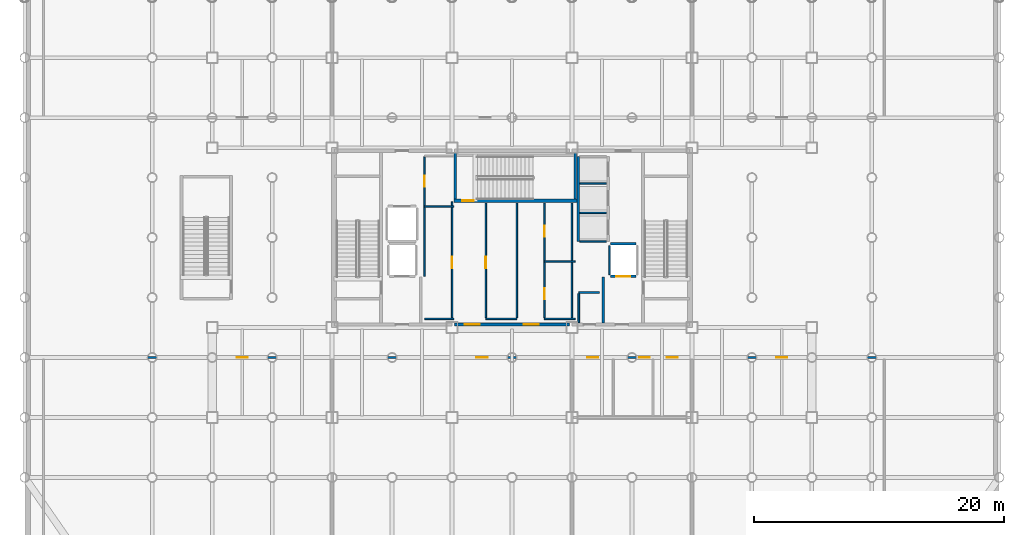
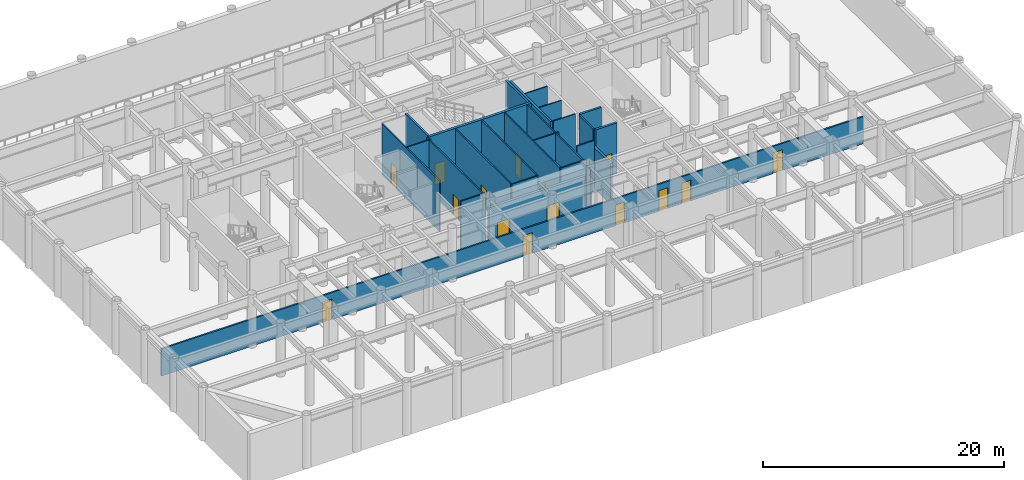
# One storey, part 10 of 16: 26 walls, 15 doors, 15 openings.
"""IFC4 building model written with IfcOpenShell, lengths in metres."""

from ifc_helpers import new_model, si_unit, direction, frame, frame_2d, origin, place, context, subcontext, project, spatial, rectangle, extrude, material, layer, layer_set, type_object, element, fill, save


model = new_model("IFC4")

# Units and contexts
model_context = context("Model", 3, precision=1e-05, world=origin(), true_north=direction((0.0, 1.0)))
body_context = subcontext(model_context, "Body", "Model", "MODEL_VIEW")
ifc_project = project(units=[si_unit("LENGTHUNIT", "METRE"), si_unit("AREAUNIT", "SQUARE_METRE"), si_unit("VOLUMEUNIT", "CUBIC_METRE"), si_unit("PLANEANGLEUNIT", "RADIAN"), si_unit("MASSUNIT", "GRAM", prefix="KILO")], contexts=[model_context])

# Site, building, storey
site_placement = place(None, origin())
site = spatial("IfcSite", under=ifc_project, at=site_placement, CompositionType="ELEMENT")
building_placement = place(site_placement, origin())
building = spatial("IfcBuilding", under=site, at=building_placement, Name="Kallvorn Hotel Tower", CompositionType="ELEMENT")
storey_placement = place(building_placement, frame((0.0, 0.0, -5.39990234375)))
storey = spatial("IfcBuildingStorey", under=building, at=storey_placement, Name="B1", CompositionType="ELEMENT", Elevation=-5.39990234375)

# Walls
ifc_material_1 = material(Name="Concrete C40/50", Category="concrete")
ifc_layer_1 = layer(ifc_material_1, 0.219970703125)
ifc_layer_set_1 = layer_set([ifc_layer_1], Name="WL_FFL_220")
wall_type_1 = type_object("IfcWallType", Name="WL_FFL_220", PredefinedType="SOLIDWALL", material=ifc_layer_set_1)
wall_1_placement = place(storey_placement, frame((7.300048828125, -6.820068359375, 0.0), z_axis=(0.0, 0.0, 1.0), x_axis=(0.0, 1.0, 0.0)))
element("IfcWall", 1, at=wall_1_placement, inside=storey, type_object=wall_type_1, Name="B1 Firefighting Lobby East Divider Wall", PredefinedType="SOLIDWALL", context=body_context, shape_type="SweptSolid", body=[
    extrude(rectangle(XDim=3.670166015625, YDim=0.219970703125, at=frame_2d((1.8349609375, 0.0))), origin(), (0.0, 0.0, 1.0), 4.14990234375),
])
ifc_material_2 = material(Name="Concrete C40/50", Category="concrete")
ifc_layer_2 = layer(ifc_material_2, 0.199951171875)
ifc_layer_set_2 = layer_set([ifc_layer_2], Name="WL_HOIST_200")
wall_type_2 = type_object("IfcWallType", Name="WL_HOIST_200", PredefinedType="SOLIDWALL", material=ifc_layer_set_2)
for number, where, z_axis, x_axis, name in (
    (2, (-4.550048828125, 3.080078125, -0.25), (0.0, 0.0, 1.0), (0.0, 1.0, 0.0), "B1 Stair ST3 West Wall"),
    (3, (5.06005859375, 3.080078125, -0.25), (0.0, 0.0, 1.0), (0.0, 1.0, 0.0), "B1 Stair ST3 East Wall"),
):
    element("IfcWall", number, at=place(storey_placement, frame(where, z_axis=z_axis, x_axis=x_axis)), inside=storey, type_object=wall_type_2, Name=name, PredefinedType="SOLIDWALL", context=body_context, shape_type="SweptSolid", body=[
        extrude(rectangle(XDim=3.739990234375, YDim=0.199951171875, at=frame_2d((1.8701171875, 0.0))), origin(), (0.0, 0.0, 1.0), 5.39990234375),
    ])
wall_2_placement = place(storey_placement, frame((5.300048828125, -0.300048828125, 0.0), z_axis=(0.0, 0.0, 1.0), x_axis=(0.0, 1.0, 0.0)))
element("IfcWall", 4, at=wall_2_placement, inside=storey, type_object=wall_type_2, Name="B1 Lift Bank OBS Rear Shaft Wall", PredefinedType="SOLIDWALL", context=body_context, shape_type="SweptSolid", body=[
    extrude(rectangle(XDim=6.800048828125, YDim=0.199951171875, at=frame_2d((3.39990234375, 0.0))), origin(), (0.0, 0.0, 1.0), 5.14990234375),
])

# Wall, opening, door
wall_3_placement = place(storey_placement, frame((7.8798828125, -3.10009765625, 0.0), z_axis=(0.0, 0.0, 1.0), x_axis=(1.0, 0.0, 0.0)))
wall_3 = element("IfcWall", 5, at=wall_3_placement, inside=storey, type_object=wall_type_2, Name="B1 FL-2 Landing Wall", PredefinedType="SOLIDWALL", context=body_context, shape_type="SweptSolid", body=[
    extrude(rectangle(XDim=2.0400390625, YDim=0.199951171875, at=frame_2d((1.02001953125, 0.0))), origin(), (0.0, 0.0, 1.0), 5.14990234375),
])
opening_1_placement = place(wall_3_placement, frame((0.469970703125, 0.0, 0.0)))
opening_1 = element("IfcOpeningElement", 6, at=opening_1_placement, cuts=wall_3, Name="Opening LD-FL-2", PredefinedType="OPENING", context=body_context, shape_type="SweptSolid", body=[
    extrude(rectangle(XDim=1.10009765625, YDim=2.199951171875, at=frame_2d((0.550048828125, 1.10009765625))), frame((0.0, 0.114990234375, 0.0), z_axis=(0.0, -1.0, 0.0), x_axis=(1.0, 0.0, 0.0)), (0.0, 0.0, 1.0), 0.22998046875),
])
ifc_material_3 = material(Name="Brushed stainless-steel automatic sliding lift landing door", Category="steel")
door_type_1 = type_object("IfcDoorType", Name="LD_PASS_1100x2200", OperationType="SLIDING_TO_LEFT", PredefinedType="DOOR", material=ifc_material_3)
door_1_placement = place(opening_1_placement, origin())
door_1 = element("IfcDoor", 7, at=door_1_placement, inside=storey, type_object=door_type_1, Name="B1 Lift Landing Sliding Door LD-FL-2", OperationType="SLIDING_TO_LEFT", OverallHeight=2.199951171875, OverallWidth=1.10009765625, PredefinedType="DOOR", context=body_context, shape_type="SweptSolid", body=[
    extrude(rectangle(XDim=1.10009765625, YDim=2.199951171875, at=frame_2d((0.550048828125, 1.10009765625))), frame((0.0, 0.02490234375, 0.0), z_axis=(0.0, -1.0, 0.0), x_axis=(1.0, 0.0, 0.0)), (0.0, 0.0, 1.0), 0.050048828125),
])
fill(opening_1, door_1)

# Walls
wall_4_placement = place(storey_placement, frame((7.8798828125, -0.5, 0.0), z_axis=(0.0, 0.0, 1.0), x_axis=(1.0, 0.0, 0.0)))
element("IfcWall", 8, at=wall_4_placement, inside=storey, type_object=wall_type_2, Name="B1 FL-2 Rear Shaft Wall", PredefinedType="SOLIDWALL", context=body_context, shape_type="SweptSolid", body=[
    extrude(rectangle(XDim=2.0400390625, YDim=0.199951171875, at=frame_2d((1.02001953125, 0.0))), origin(), (0.0, 0.0, 1.0), 5.14990234375),
])
ifc_material_4 = material(Name="Fire-rated double-layer acoustic gypsum drywall EI 60")
ifc_layer_3 = layer(ifc_material_4, 0.1201171875)
ifc_layer_set_3 = layer_set([ifc_layer_3], Name="WL_INT_120")
wall_type_3 = type_object("IfcWallType", Name="WL_INT_120", PredefinedType="PARTITIONING", material=ifc_layer_set_3)
for number, where, z_axis, x_axis, name in (
    (9, (5.43994140625, -0.300048828125, 0.0), (0.0, 0.0, 1.0), (1.0, 0.0, 0.0), "B1 Lift Bank OBS South Closure Wall"),
    (10, (5.43994140625, 1.97509765625, 0.0), (0.0, 0.0, 1.0), (1.0, 0.0, 0.0), "B1 OB-01 Hoistway Divider"),
    (11, (5.43994140625, 4.324951171875, 0.0), (0.0, 0.0, 1.0), (1.0, 0.0, 0.0), "B1 OB-02 Hoistway Divider"),
):
    element("IfcWall", number, at=place(storey_placement, frame(where, z_axis=z_axis, x_axis=x_axis)), inside=storey, type_object=wall_type_3, Name=name, PredefinedType="PARTITIONING", context=body_context, shape_type="SweptSolid", body=[
        extrude(rectangle(XDim=2.1201171875, YDim=0.1201171875, at=frame_2d((1.06005859375, 0.0))), origin(), (0.0, 0.0, 1.0), 5.14990234375),
    ])
wall_5_placement = place(storey_placement, frame((7.800048828125, -2.9599609375, 0.0), z_axis=(0.0, 0.0, 1.0), x_axis=(0.0, 1.0, 0.0)))
element("IfcWall", 12, at=wall_5_placement, inside=storey, type_object=wall_type_3, Name="B1 FL-2 West Shaft Wall", PredefinedType="PARTITIONING", context=body_context, shape_type="SweptSolid", body=[
    extrude(rectangle(XDim=2.320068359375, YDim=0.1201171875, at=frame_2d((1.16015625, 0.0))), origin(), (0.0, 0.0, 1.0), 5.14990234375),
])
wall_6_placement = place(storey_placement, frame((-7.0, -6.5, 0.0), z_axis=(0.0, 0.0, 1.0), x_axis=(1.0, 0.0, 0.0)))
element("IfcWall", 13, at=wall_6_placement, inside=storey, type_object=wall_type_3, Name="B1 Basement Core Linen and Equipment Store Partition", PredefinedType="PARTITIONING", context=body_context, shape_type="SweptSolid", body=[
    extrude(rectangle(XDim=2.35009765625, YDim=0.1201171875, at=frame_2d((1.175048828125, 0.0))), origin(), (0.0, 0.0, 1.0), 5.14990234375),
])
wall_7_placement = place(storey_placement, frame((-2.10009765625, -6.5, 0.0), z_axis=(0.0, 0.0, 1.0), x_axis=(1.0, 0.0, 0.0)))
element("IfcWall", 14, at=wall_7_placement, inside=storey, type_object=wall_type_3, Name="B1 Basement Mechanical Services Room Partition", PredefinedType="PARTITIONING", context=body_context, shape_type="SweptSolid", body=[
    extrude(rectangle(XDim=2.5, YDim=0.1201171875, at=frame_2d((1.25, 0.0))), origin(), (0.0, 0.0, 1.0), 5.14990234375),
])
for number, where, z_axis, x_axis, name in (
    (15, (2.60009765625, -6.5, 0.0), (0.0, 0.0, 1.0), (1.0, 0.0, 0.0), "B1 East Core Amenities and Minibar Store Partition"),
    (16, (2.60009765625, -1.89990234375, 0.0), (0.0, 0.0, 1.0), (1.0, 0.0, 0.0), "B1 East Core Amenities and Minibar Store Partition"),
):
    element("IfcWall", number, at=place(storey_placement, frame(where, z_axis=z_axis, x_axis=x_axis)), inside=storey, type_object=wall_type_3, Name=name, PredefinedType="PARTITIONING", context=body_context, shape_type="SweptSolid", body=[
        extrude(rectangle(XDim=2.449951171875, YDim=0.1201171875, at=frame_2d((1.22509765625, 0.0))), origin(), (0.0, 0.0, 1.0), 5.14990234375),
    ])
wall_8_placement = place(storey_placement, frame((-7.0, 2.5, 0.0), z_axis=(0.0, 0.0, 1.0), x_axis=(1.0, 0.0, 0.0)))
element("IfcWall", 17, at=wall_8_placement, inside=storey, type_object=wall_type_3, Name="B1 Basement Core Cleaners Store Partition", PredefinedType="PARTITIONING", context=body_context, shape_type="SweptSolid", body=[
    extrude(rectangle(XDim=2.35009765625, YDim=0.1201171875, at=frame_2d((1.175048828125, 0.0))), origin(), (0.0, 0.0, 1.0), 5.14990234375),
])

# Wall, opening, door
wall_9_placement = place(storey_placement, frame((-7.0, -3.110107421875, 0.0), z_axis=(0.0, 0.0, 1.0), x_axis=(0.0, 1.0, 0.0)))
wall_9 = element("IfcWall", 18, at=wall_9_placement, inside=storey, type_object=wall_type_3, Name="B1 Basement Core Linen and Equipment Store Partition", PredefinedType="PARTITIONING", context=body_context, shape_type="SweptSolid", body=[
    extrude(rectangle(XDim=9.5751953125, YDim=0.1201171875, at=frame_2d((4.78759765625, 0.0))), origin(), (0.0, 0.0, 1.0), 5.14990234375),
])
opening_2_placement = place(wall_9_placement, frame((7.159912109375, 0.0, 0.0)))
opening_2 = element("IfcOpeningElement", 19, at=opening_2_placement, cuts=wall_9, Name="Opening SVD1", PredefinedType="OPENING", context=body_context, shape_type="SweptSolid", body=[
    extrude(rectangle(XDim=0.89990234375, YDim=2.10009765625, at=frame_2d((0.449951171875, 1.050048828125))), frame((0.0, 0.074951171875, 0.0), z_axis=(0.0, -1.0, 0.0), x_axis=(1.0, 0.0, 0.0)), (0.0, 0.0, 1.0), 0.150146484375),
])
ifc_material_5 = material(Name="Galvanised painted steel fire-rated door assembly", Category="steel")
door_type_2 = type_object("IfcDoorType", Name="DR_SERV_900x2100", OperationType="NOTDEFINED", PredefinedType="DOOR", material=ifc_material_5)
door_2_placement = place(opening_2_placement, origin())
door_2 = element("IfcDoor", 20, at=door_2_placement, inside=storey, type_object=door_type_2, Name="B1 Basement Core Cleaners Store Door", OperationType="SINGLE_SWING_RIGHT", OverallHeight=2.10009765625, OverallWidth=0.89990234375, PredefinedType="DOOR", context=body_context, shape_type="SweptSolid", body=[
    extrude(rectangle(XDim=0.89990234375, YDim=2.10009765625, at=frame_2d((0.449951171875, 1.050048828125))), frame((0.0, 0.02490234375, 0.0), z_axis=(0.0, -1.0, 0.0), x_axis=(1.0, 0.0, 0.0)), (0.0, 0.0, 1.0), 0.050048828125),
])
fill(opening_2, door_2)

wall_10_placement = place(storey_placement, frame((-4.800048828125, -6.4150390625, 0.0), z_axis=(0.0, 0.0, 1.0), x_axis=(0.0, 1.0, 0.0)))
wall_10 = element("IfcWall", 21, at=wall_10_placement, inside=storey, type_object=wall_type_3, Name="B1 Basement Core Linen and Equipment Store Partition", PredefinedType="PARTITIONING", context=body_context, shape_type="SweptSolid", body=[
    extrude(rectangle(XDim=9.280029296875, YDim=0.1201171875, at=frame_2d((4.64013671875, 0.0))), origin(), (0.0, 0.0, 1.0), 5.14990234375),
])
opening_3_placement = place(wall_10_placement, frame((3.965087890625, 0.0, 0.0)))
opening_3 = element("IfcOpeningElement", 22, at=opening_3_placement, cuts=wall_10, Name="Opening SVD1", PredefinedType="OPENING", context=body_context, shape_type="SweptSolid", body=[
    extrude(rectangle(XDim=0.89990234375, YDim=2.10009765625, at=frame_2d((0.449951171875, 1.050048828125))), frame((0.0, 0.074951171875, 0.0), z_axis=(0.0, -1.0, 0.0), x_axis=(1.0, 0.0, 0.0)), (0.0, 0.0, 1.0), 0.150146484375),
])
door_3_placement = place(opening_3_placement, origin())
door_3 = element("IfcDoor", 23, at=door_3_placement, inside=storey, type_object=door_type_2, Name="B1 Basement Core Linen and Equipment Store Door", OperationType="SINGLE_SWING_RIGHT", OverallHeight=2.10009765625, OverallWidth=0.89990234375, PredefinedType="DOOR", context=body_context, shape_type="SweptSolid", body=[
    extrude(rectangle(XDim=0.89990234375, YDim=2.10009765625, at=frame_2d((0.449951171875, 1.050048828125))), frame((0.0, 0.02490234375, 0.0), z_axis=(0.0, -1.0, 0.0), x_axis=(1.0, 0.0, 0.0)), (0.0, 0.0, 1.0), 0.050048828125),
])
fill(opening_3, door_3)

wall_11_placement = place(storey_placement, frame((-2.10009765625, -6.4150390625, 0.0), z_axis=(0.0, 0.0, 1.0), x_axis=(0.0, 1.0, 0.0)))
wall_11 = element("IfcWall", 24, at=wall_11_placement, inside=storey, type_object=wall_type_3, Name="B1 Basement Mechanical Services Room Partition", PredefinedType="PARTITIONING", context=body_context, shape_type="SweptSolid", body=[
    extrude(rectangle(XDim=9.1650390625, YDim=0.1201171875, at=frame_2d((4.58251953125, 0.0))), origin(), (0.0, 0.0, 1.0), 5.14990234375),
])
opening_4_placement = place(wall_11_placement, frame((3.965087890625, 0.0, 0.0)))
opening_4 = element("IfcOpeningElement", 25, at=opening_4_placement, cuts=wall_11, Name="Opening SVD1", PredefinedType="OPENING", context=body_context, shape_type="SweptSolid", body=[
    extrude(rectangle(XDim=0.89990234375, YDim=2.10009765625, at=frame_2d((0.449951171875, 1.050048828125))), frame((0.0, 0.074951171875, 0.0), z_axis=(0.0, -1.0, 0.0), x_axis=(1.0, 0.0, 0.0)), (0.0, 0.0, 1.0), 0.150146484375),
])
door_4_placement = place(opening_4_placement, origin())
door_4 = element("IfcDoor", 26, at=door_4_placement, inside=storey, type_object=door_type_2, Name="B1 Basement Mechanical Services Room Door", OperationType="SINGLE_SWING_RIGHT", OverallHeight=2.10009765625, OverallWidth=0.89990234375, PredefinedType="DOOR", context=body_context, shape_type="SweptSolid", body=[
    extrude(rectangle(XDim=0.89990234375, YDim=2.10009765625, at=frame_2d((0.449951171875, 1.050048828125))), frame((0.0, 0.02490234375, 0.0), z_axis=(0.0, -1.0, 0.0), x_axis=(1.0, 0.0, 0.0)), (0.0, 0.0, 1.0), 0.050048828125),
])
fill(opening_4, door_4)

# Wall
wall_12_placement = place(storey_placement, frame((0.39990234375, -6.4150390625, 0.0), z_axis=(0.0, 0.0, 1.0), x_axis=(0.0, 1.0, 0.0)))
element("IfcWall", 27, at=wall_12_placement, inside=storey, type_object=wall_type_3, Name="B1 Basement Mechanical Services Room Partition", PredefinedType="PARTITIONING", context=body_context, shape_type="SweptSolid", body=[
    extrude(rectangle(XDim=9.1650390625, YDim=0.1201171875, at=frame_2d((4.58251953125, 0.0))), origin(), (0.0, 0.0, 1.0), 5.14990234375),
])

# Wall, openings, doors
wall_13_placement = place(storey_placement, frame((2.60009765625, -6.4150390625, 0.0), z_axis=(0.0, 0.0, 1.0), x_axis=(0.0, 1.0, 0.0)))
wall_13 = element("IfcWall", 28, at=wall_13_placement, inside=storey, type_object=wall_type_3, Name="B1 East Core Amenities and Minibar Store Partition", PredefinedType="PARTITIONING", context=body_context, shape_type="SweptSolid", body=[
    extrude(rectangle(XDim=9.1650390625, YDim=0.1201171875, at=frame_2d((4.58251953125, 0.0))), origin(), (0.0, 0.0, 1.0), 5.14990234375),
])
opening_5_placement = place(wall_13_placement, frame((1.465087890625, 0.0, 0.0)))
opening_5 = element("IfcOpeningElement", 29, at=opening_5_placement, cuts=wall_13, Name="Opening SVD1", PredefinedType="OPENING", context=body_context, shape_type="SweptSolid", body=[
    extrude(rectangle(XDim=0.89990234375, YDim=2.10009765625, at=frame_2d((0.449951171875, 1.050048828125))), frame((0.0, 0.074951171875, 0.0), z_axis=(0.0, -1.0, 0.0), x_axis=(1.0, 0.0, 0.0)), (0.0, 0.0, 1.0), 0.150146484375),
])
opening_6_placement = place(wall_13_placement, frame((6.465087890625, 0.0, 0.0)))
opening_6 = element("IfcOpeningElement", 30, at=opening_6_placement, cuts=wall_13, Name="Opening SVD1", PredefinedType="OPENING", context=body_context, shape_type="SweptSolid", body=[
    extrude(rectangle(XDim=0.89990234375, YDim=2.10009765625, at=frame_2d((0.449951171875, 1.050048828125))), frame((0.0, 0.074951171875, 0.0), z_axis=(0.0, -1.0, 0.0), x_axis=(1.0, 0.0, 0.0)), (0.0, 0.0, 1.0), 0.150146484375),
])
door_5_placement = place(opening_5_placement, origin())
door_5 = element("IfcDoor", 31, at=door_5_placement, inside=storey, type_object=door_type_2, Name="B1 East Core Amenities and Minibar Store Door", OperationType="SINGLE_SWING_RIGHT", OverallHeight=2.10009765625, OverallWidth=0.89990234375, PredefinedType="DOOR", context=body_context, shape_type="SweptSolid", body=[
    extrude(rectangle(XDim=0.89990234375, YDim=2.10009765625, at=frame_2d((0.449951171875, 1.050048828125))), frame((0.0, 0.02490234375, 0.0), z_axis=(0.0, -1.0, 0.0), x_axis=(1.0, 0.0, 0.0)), (0.0, 0.0, 1.0), 0.050048828125),
])
fill(opening_5, door_5)
door_6_placement = place(opening_6_placement, origin())
door_6 = element("IfcDoor", 32, at=door_6_placement, inside=storey, type_object=door_type_2, Name="B1 East Core Cleaners and Janitor Room Door", OperationType="SINGLE_SWING_LEFT", OverallHeight=2.10009765625, OverallWidth=0.89990234375, PredefinedType="DOOR", context=body_context, shape_type="SweptSolid", body=[
    extrude(rectangle(XDim=0.89990234375, YDim=2.10009765625, at=frame_2d((0.449951171875, 1.050048828125))), frame((0.0, 0.02490234375, 0.0), z_axis=(0.0, -1.0, 0.0), x_axis=(1.0, 0.0, 0.0)), (0.0, 0.0, 1.0), 0.050048828125),
])
fill(opening_6, door_6)

# Wall
wall_14_placement = place(storey_placement, frame((4.800048828125, -6.4150390625, 0.0), z_axis=(0.0, 0.0, 1.0), x_axis=(0.0, 1.0, 0.0)))
element("IfcWall", 33, at=wall_14_placement, inside=storey, type_object=wall_type_3, Name="B1 East Core Amenities and Minibar Store Partition", PredefinedType="PARTITIONING", context=body_context, shape_type="SweptSolid", body=[
    extrude(rectangle(XDim=9.1650390625, YDim=0.1201171875, at=frame_2d((4.58251953125, 0.0))), origin(), (0.0, 0.0, 1.0), 5.14990234375),
])

# Wall, openings, doors
ifc_material_6 = material(Name="Fire-rated double-layer acoustic gypsum drywall EI 60")
ifc_layer_4 = layer(ifc_material_6, 0.14990234375)
ifc_layer_set_4 = layer_set([ifc_layer_4], Name="WL_PART_150")
wall_type_4 = type_object("IfcWallType", Name="WL_PART_150", PredefinedType="PARTITIONING", material=ifc_layer_set_4)
wall_15_placement = place(storey_placement, frame((-37.5, -9.60009765625, 0.0), z_axis=(0.0, 0.0, 1.0), x_axis=(1.0, 0.0, 0.0)))
wall_15 = element("IfcWall", 34, at=wall_15_placement, inside=storey, type_object=wall_type_4, Name="B1 Central Hotel Laundry and Valet Plant Partition", PredefinedType="PARTITIONING", context=body_context, shape_type="SweptSolid", body=[
    extrude(rectangle(XDim=67.300048828125, YDim=0.14990234375, at=frame_2d((33.64990234375, 0.0))), origin(), (0.0, 0.0, 1.0), 2.75),
])
opening_7_placement = place(wall_15_placement, frame((15.449951171875, 0.0, 0.0)))
opening_7 = element("IfcOpeningElement", 35, at=opening_7_placement, cuts=wall_15, Name="Opening SVD1", PredefinedType="OPENING", context=body_context, shape_type="SweptSolid", body=[
    extrude(rectangle(XDim=0.89990234375, YDim=2.10009765625, at=frame_2d((0.449951171875, 1.050048828125))), frame((0.0, 0.08984375, 0.0), z_axis=(0.0, -1.0, 0.0), x_axis=(1.0, 0.0, 0.0)), (0.0, 0.0, 1.0), 0.179931640625),
])
opening_8_placement = place(wall_15_placement, frame((34.64990234375, 0.0, 0.0)))
opening_8 = element("IfcOpeningElement", 36, at=opening_8_placement, cuts=wall_15, Name="Opening SVD1", PredefinedType="OPENING", context=body_context, shape_type="SweptSolid", body=[
    extrude(rectangle(XDim=0.89990234375, YDim=2.10009765625, at=frame_2d((0.449951171875, 1.050048828125))), frame((0.0, 0.08984375, 0.0), z_axis=(0.0, -1.0, 0.0), x_axis=(1.0, 0.0, 0.0)), (0.0, 0.0, 1.0), 0.179931640625),
])
opening_9_placement = place(wall_15_placement, frame((43.541015625, 0.0, 0.0)))
opening_9 = element("IfcOpeningElement", 37, at=opening_9_placement, cuts=wall_15, Name="Opening BD-I", PredefinedType="OPENING", context=body_context, shape_type="SweptSolid", body=[
    extrude(rectangle(XDim=0.860107421875, YDim=2.10009765625, at=frame_2d((0.43017578125, 1.050048828125))), frame((0.0, 0.08984375, 0.0), z_axis=(0.0, -1.0, 0.0), x_axis=(1.0, 0.0, 0.0)), (0.0, 0.0, 1.0), 0.179931640625),
])
opening_10_placement = place(wall_15_placement, frame((47.68505859375, 0.0, 0.0)))
opening_10 = element("IfcOpeningElement", 38, at=opening_10_placement, cuts=wall_15, Name="Opening BD-I", PredefinedType="OPENING", context=body_context, shape_type="SweptSolid", body=[
    extrude(rectangle(XDim=0.860107421875, YDim=2.10009765625, at=frame_2d((0.43017578125, 1.050048828125))), frame((0.0, 0.08984375, 0.0), z_axis=(0.0, -1.0, 0.0), x_axis=(1.0, 0.0, 0.0)), (0.0, 0.0, 1.0), 0.179931640625),
])
opening_11_placement = place(wall_15_placement, frame((49.89208984375, 0.0, 0.0)))
opening_11 = element("IfcOpeningElement", 39, at=opening_11_placement, cuts=wall_15, Name="Opening BD-I", PredefinedType="OPENING", context=body_context, shape_type="SweptSolid", body=[
    extrude(rectangle(XDim=0.860107421875, YDim=2.10009765625, at=frame_2d((0.43017578125, 1.050048828125))), frame((0.0, 0.08984375, 0.0), z_axis=(0.0, -1.0, 0.0), x_axis=(1.0, 0.0, 0.0)), (0.0, 0.0, 1.0), 0.179931640625),
])
opening_12_placement = place(wall_15_placement, frame((58.64990234375, 0.0, 0.0)))
opening_12 = element("IfcOpeningElement", 40, at=opening_12_placement, cuts=wall_15, Name="Opening SVD1", PredefinedType="OPENING", context=body_context, shape_type="SweptSolid", body=[
    extrude(rectangle(XDim=0.89990234375, YDim=2.10009765625, at=frame_2d((0.449951171875, 1.050048828125))), frame((0.0, 0.08984375, 0.0), z_axis=(0.0, -1.0, 0.0), x_axis=(1.0, 0.0, 0.0)), (0.0, 0.0, 1.0), 0.179931640625),
])
ifc_material_7 = material(Name="Solid-core walnut veneer fire-rated timber door leaf", Category="wood")
door_type_3 = type_object("IfcDoorType", Name="DR_BATH_860x2100", OperationType="NOTDEFINED", PredefinedType="DOOR", material=ifc_material_7)
door_7_placement = place(opening_9_placement, origin())
door_7 = element("IfcDoor", 41, at=door_7_placement, inside=storey, type_object=door_type_3, Name="B1 Public Male Restroom WC Door", OperationType="SINGLE_SWING_RIGHT", OverallHeight=2.10009765625, OverallWidth=0.860107421875, PredefinedType="DOOR", context=body_context, shape_type="SweptSolid", body=[
    extrude(rectangle(XDim=0.860107421875, YDim=2.10009765625, at=frame_2d((0.43017578125, 1.050048828125))), frame((0.0, 0.02490234375, 0.0), z_axis=(0.0, -1.0, 0.0), x_axis=(1.0, 0.0, 0.0)), (0.0, 0.0, 1.0), 0.050048828125),
])
fill(opening_9, door_7)
door_8_placement = place(opening_10_placement, origin())
door_8 = element("IfcDoor", 42, at=door_8_placement, inside=storey, type_object=door_type_3, Name="B1 Public Female Restroom WC Door", OperationType="SINGLE_SWING_RIGHT", OverallHeight=2.10009765625, OverallWidth=0.860107421875, PredefinedType="DOOR", context=body_context, shape_type="SweptSolid", body=[
    extrude(rectangle(XDim=0.860107421875, YDim=2.10009765625, at=frame_2d((0.43017578125, 1.050048828125))), frame((0.0, 0.02490234375, 0.0), z_axis=(0.0, -1.0, 0.0), x_axis=(1.0, 0.0, 0.0)), (0.0, 0.0, 1.0), 0.050048828125),
])
fill(opening_10, door_8)
door_9_placement = place(opening_11_placement, origin())
door_9 = element("IfcDoor", 43, at=door_9_placement, inside=storey, type_object=door_type_3, Name="B1 Accessible Restroom WC Door", OperationType="SINGLE_SWING_RIGHT", OverallHeight=2.10009765625, OverallWidth=0.860107421875, PredefinedType="DOOR", context=body_context, shape_type="SweptSolid", body=[
    extrude(rectangle(XDim=0.860107421875, YDim=2.10009765625, at=frame_2d((0.43017578125, 1.050048828125))), frame((0.0, 0.02490234375, 0.0), z_axis=(0.0, -1.0, 0.0), x_axis=(1.0, 0.0, 0.0)), (0.0, 0.0, 1.0), 0.050048828125),
])
fill(opening_11, door_9)
door_10_placement = place(opening_7_placement, origin())
door_10 = element("IfcDoor", 44, at=door_10_placement, inside=storey, type_object=door_type_2, Name="B1 Central Hotel Laundry and Valet Plant Door", OperationType="SINGLE_SWING_RIGHT", OverallHeight=2.10009765625, OverallWidth=0.89990234375, PredefinedType="DOOR", context=body_context, shape_type="SweptSolid", body=[
    extrude(rectangle(XDim=0.89990234375, YDim=2.10009765625, at=frame_2d((0.449951171875, 1.050048828125))), frame((0.0, 0.02490234375, 0.0), z_axis=(0.0, -1.0, 0.0), x_axis=(1.0, 0.0, 0.0)), (0.0, 0.0, 1.0), 0.050048828125),
])
fill(opening_7, door_10)
door_11_placement = place(opening_8_placement, origin())
door_11 = element("IfcDoor", 45, at=door_11_placement, inside=storey, type_object=door_type_2, Name="B1 Central Commissary Production Kitchen Door", OperationType="SINGLE_SWING_RIGHT", OverallHeight=2.10009765625, OverallWidth=0.89990234375, PredefinedType="DOOR", context=body_context, shape_type="SweptSolid", body=[
    extrude(rectangle(XDim=0.89990234375, YDim=2.10009765625, at=frame_2d((0.449951171875, 1.050048828125))), frame((0.0, 0.02490234375, 0.0), z_axis=(0.0, -1.0, 0.0), x_axis=(1.0, 0.0, 0.0)), (0.0, 0.0, 1.0), 0.050048828125),
])
fill(opening_8, door_11)
door_12_placement = place(opening_12_placement, origin())
door_12 = element("IfcDoor", 46, at=door_12_placement, inside=storey, type_object=door_type_2, Name="B1 Staff Changing Rooms and Lockers Door", OperationType="SINGLE_SWING_LEFT", OverallHeight=2.10009765625, OverallWidth=0.89990234375, PredefinedType="DOOR", context=body_context, shape_type="SweptSolid", body=[
    extrude(rectangle(XDim=0.89990234375, YDim=2.10009765625, at=frame_2d((0.449951171875, 1.050048828125))), frame((0.0, 0.02490234375, 0.0), z_axis=(0.0, -1.0, 0.0), x_axis=(1.0, 0.0, 0.0)), (0.0, 0.0, 1.0), 0.050048828125),
])
fill(opening_12, door_12)

# Walls
ifc_material_8 = material(Name="Moisture-resistant acoustic plumbing chase wall EI 60")
ifc_layer_5 = layer(ifc_material_8, 0.139892578125)
ifc_layer_set_5 = layer_set([ifc_layer_5], Name="WL_PLUMB_140")
wall_type_5 = type_object("IfcWallType", Name="WL_PLUMB_140", PredefinedType="PLUMBINGWALL", material=ifc_layer_set_5)
wall_16_placement = place(storey_placement, frame((5.35009765625, -4.39990234375, 0.0), z_axis=(0.0, 0.0, 1.0), x_axis=(1.0, 0.0, 0.0)))
element("IfcWall", 47, at=wall_16_placement, inside=storey, type_object=wall_type_5, Name="B1 Core Staff Restroom WC Partition", PredefinedType="PLUMBINGWALL", context=body_context, shape_type="SweptSolid", body=[
    extrude(rectangle(XDim=1.64990234375, YDim=0.139892578125, at=frame_2d((0.824951171875, 0.0))), origin(), (0.0, 0.0, 1.0), 5.14990234375),
])
wall_17_placement = place(storey_placement, frame((5.35009765625, -6.800048828125, 0.0), z_axis=(0.0, 0.0, 1.0), x_axis=(0.0, 1.0, 0.0)))
element("IfcWall", 48, at=wall_17_placement, inside=storey, type_object=wall_type_5, Name="B1 Core Staff Restroom WC Partition", PredefinedType="PLUMBINGWALL", context=body_context, shape_type="SweptSolid", body=[
    extrude(rectangle(XDim=2.31494140625, YDim=0.139892578125, at=frame_2d((1.157470703125, 0.0))), origin(), (0.0, 0.0, 1.0), 4.14990234375),
])

# Wall, openings, doors
ifc_material_9 = material(Name="Concrete C40/50", Category="concrete")
ifc_layer_6 = layer(ifc_material_9, 0.25)
ifc_layer_set_6 = layer_set([ifc_layer_6], Name="WL_SHAFT_250")
wall_type_6 = type_object("IfcWallType", Name="WL_SHAFT_250", PredefinedType="SOLIDWALL", material=ifc_layer_set_6)
wall_18_placement = place(storey_placement, frame((-4.60009765625, -6.949951171875, 0.0), z_axis=(0.0, 0.0, 1.0), x_axis=(1.0, 0.0, 0.0)))
wall_18 = element("IfcWall", 49, at=wall_18_placement, inside=storey, type_object=wall_type_6, Name="B1 Core South-Central Wall", PredefinedType="SOLIDWALL", context=body_context, shape_type="SweptSolid", body=[
    extrude(rectangle(XDim=9.2001953125, YDim=0.25, at=frame_2d((4.60009765625, 0.0))), origin(), (0.0, 0.0, 1.0), 3.949951171875),
])
opening_13_placement = place(wall_18_placement, frame((0.800048828125, 0.0, 0.0)))
opening_13 = element("IfcOpeningElement", 50, at=opening_13_placement, cuts=wall_18, Name="Opening FD2", PredefinedType="OPENING", context=body_context, shape_type="SweptSolid", body=[
    extrude(rectangle(XDim=1.199951171875, YDim=2.199951171875, at=frame_2d((0.60009765625, 1.10009765625))), frame((0.0, 0.139892578125, 0.0), z_axis=(0.0, -1.0, 0.0), x_axis=(1.0, 0.0, 0.0)), (0.0, 0.0, 1.0), 0.280029296875),
])
opening_14_placement = place(wall_18_placement, frame((5.550048828125, 0.0, 0.0)))
opening_14 = element("IfcOpeningElement", 51, at=opening_14_placement, cuts=wall_18, Name="Opening FD2", PredefinedType="OPENING", context=body_context, shape_type="SweptSolid", body=[
    extrude(rectangle(XDim=1.199951171875, YDim=2.199951171875, at=frame_2d((0.60009765625, 1.10009765625))), frame((0.0, 0.139892578125, 0.0), z_axis=(0.0, -1.0, 0.0), x_axis=(1.0, 0.0, 0.0)), (0.0, 0.0, 1.0), 0.280029296875),
])
ifc_material_10 = material(Name="Galvanised painted steel fire-rated door assembly", Category="steel")
door_type_4 = type_object("IfcDoorType", Name="DR_LOBBY_1200x2200", OperationType="DOUBLE_DOOR_SINGLE_SWING", PredefinedType="DOOR", material=ifc_material_10)
door_13_placement = place(opening_13_placement, origin())
door_13 = element("IfcDoor", 52, at=door_13_placement, inside=storey, type_object=door_type_4, Name="B1 West Passenger Lift Lobby Door", OperationType="DOUBLE_DOOR_SINGLE_SWING", OverallHeight=2.199951171875, OverallWidth=1.199951171875, PredefinedType="DOOR", context=body_context, shape_type="SweptSolid", body=[
    extrude(rectangle(XDim=1.199951171875, YDim=2.199951171875, at=frame_2d((0.60009765625, 1.10009765625))), frame((0.0, 0.02490234375, 0.0), z_axis=(0.0, -1.0, 0.0), x_axis=(1.0, 0.0, 0.0)), (0.0, 0.0, 1.0), 0.050048828125),
])
fill(opening_13, door_13)
door_14_placement = place(opening_14_placement, origin())
door_14 = element("IfcDoor", 53, at=door_14_placement, inside=storey, type_object=door_type_4, Name="B1 East Passenger Lift Lobby Door", OperationType="DOUBLE_DOOR_SINGLE_SWING", OverallHeight=2.199951171875, OverallWidth=1.199951171875, PredefinedType="DOOR", context=body_context, shape_type="SweptSolid", body=[
    extrude(rectangle(XDim=1.199951171875, YDim=2.199951171875, at=frame_2d((0.60009765625, 1.10009765625))), frame((0.0, 0.02490234375, 0.0), z_axis=(0.0, -1.0, 0.0), x_axis=(1.0, 0.0, 0.0)), (0.0, 0.0, 1.0), 0.050048828125),
])
fill(opening_14, door_14)

# Wall, opening, door
wall_19_placement = place(storey_placement, frame((-4.64990234375, 2.949951171875, -0.25), z_axis=(0.0, 0.0, 1.0), x_axis=(1.0, 0.0, 0.0)))
wall_19 = element("IfcWall", 54, at=wall_19_placement, inside=storey, type_object=wall_type_6, Name="B1 Stair ST3 Shaft South Wall", PredefinedType="SOLIDWALL", context=body_context, shape_type="SweptSolid", body=[
    extrude(rectangle(XDim=9.89990234375, YDim=0.25, at=frame_2d((4.949951171875, 0.0))), origin(), (0.0, 0.0, 1.0), 5.39990234375),
])
opening_15_placement = place(wall_19_placement, frame((0.64990234375, 0.0, 0.25)))
opening_15 = element("IfcOpeningElement", 55, at=opening_15_placement, cuts=wall_19, Name="Opening SD1", PredefinedType="OPENING", context=body_context, shape_type="SweptSolid", body=[
    extrude(rectangle(XDim=0.949951171875, YDim=2.14990234375, at=frame_2d((0.47509765625, 1.074951171875))), frame((0.0, 0.139892578125, 0.0), z_axis=(0.0, -1.0, 0.0), x_axis=(1.0, 0.0, 0.0)), (0.0, 0.0, 1.0), 0.280029296875),
])
ifc_material_11 = material(Name="Galvanised painted steel fire-rated door assembly", Category="steel")
door_type_5 = type_object("IfcDoorType", Name="DR_STAIR_950x2150", OperationType="NOTDEFINED", PredefinedType="DOOR", material=ifc_material_11)
door_15_placement = place(opening_15_placement, origin())
door_15 = element("IfcDoor", 56, at=door_15_placement, inside=storey, type_object=door_type_5, Name="B1 Exit Stair ST3 Fire Door", OperationType="SINGLE_SWING_RIGHT", OverallHeight=2.14990234375, OverallWidth=0.949951171875, PredefinedType="DOOR", context=body_context, shape_type="SweptSolid", body=[
    extrude(rectangle(XDim=0.949951171875, YDim=2.14990234375, at=frame_2d((0.47509765625, 1.074951171875))), frame((0.0, 0.02490234375, 0.0), z_axis=(0.0, -1.0, 0.0), x_axis=(1.0, 0.0, 0.0)), (0.0, 0.0, 1.0), 0.050048828125),
])
fill(opening_15, door_15)

save(model, "model.ifc")
